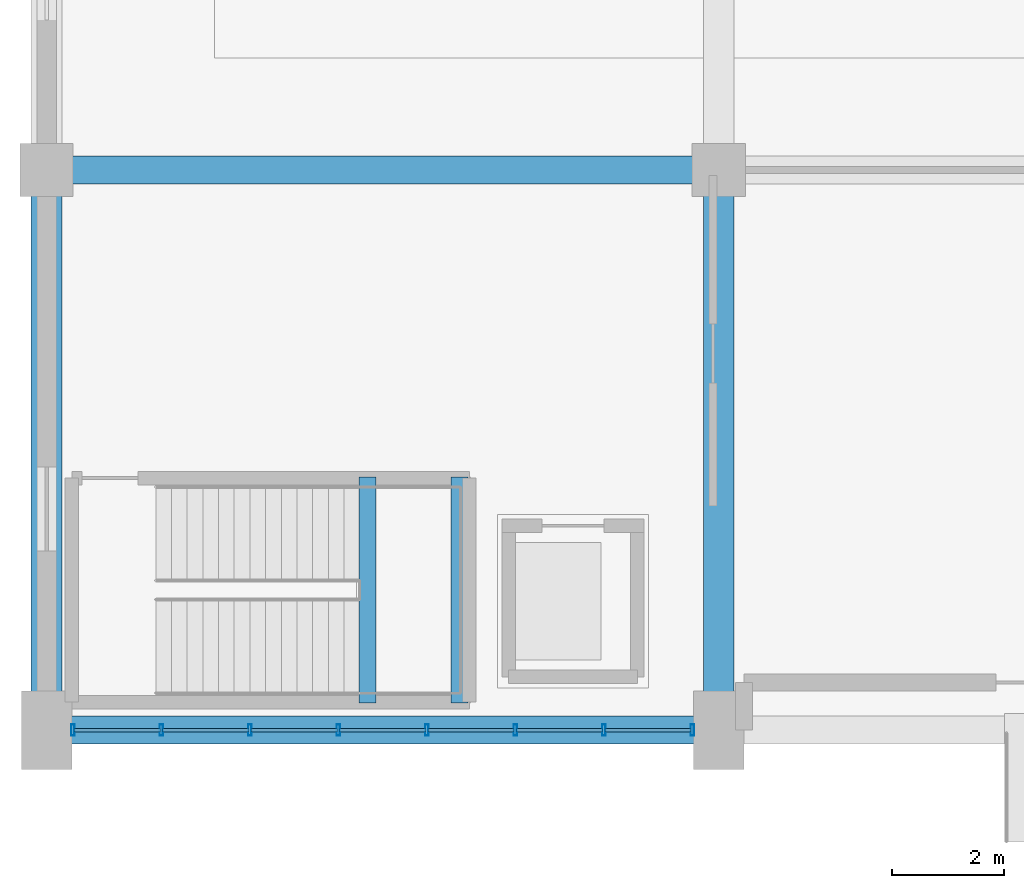
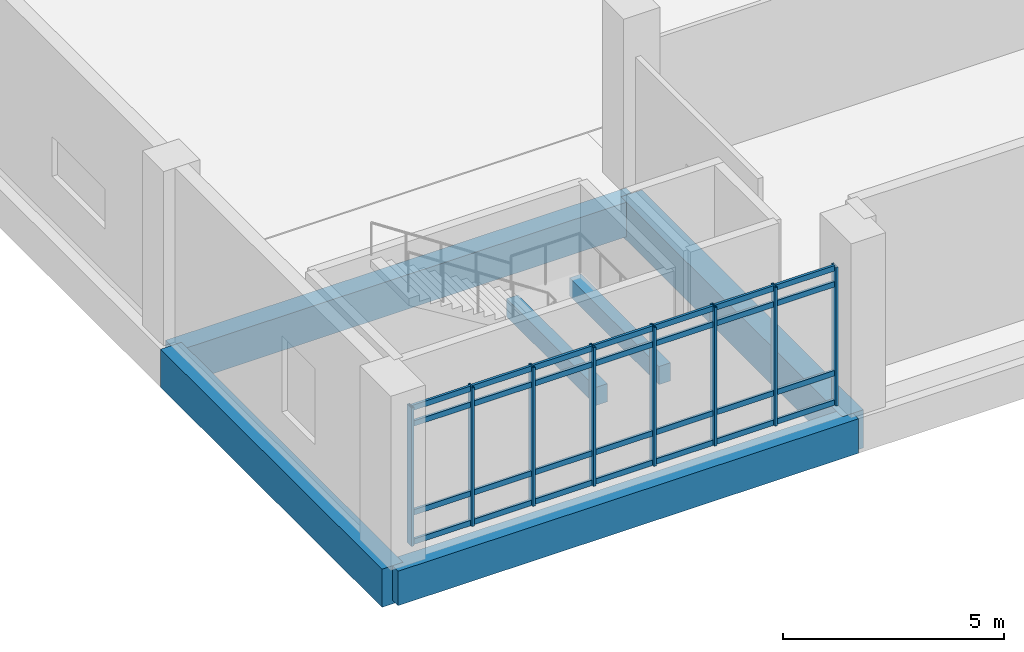
# One storey, part 6 of 87: 36 members, 6 beams, 1 element without a shape of its own.
"""IFC4 building model written with IfcOpenShell, lengths in metres."""

from ifc_helpers import new_model, si_unit, direction, frame, origin, origin_2d, place, context, subcontext, project, spatial, rectangle, hollow_rectangle, extrude, material, layer, layer_set, material_profile, profile_set, type_object, element, aggregate, save


model = new_model("IFC4")

# Units and contexts
model_context = context("Model", 3, precision=1e-05, world=origin(), true_north=direction((0.0, 1.0)))
body_context = subcontext(model_context, "Body", "Model", "MODEL_VIEW")
ifc_project = project(units=[si_unit("LENGTHUNIT", "METRE"), si_unit("AREAUNIT", "SQUARE_METRE"), si_unit("VOLUMEUNIT", "CUBIC_METRE"), si_unit("PLANEANGLEUNIT", "RADIAN"), si_unit("MASSUNIT", "GRAM", prefix="KILO")], contexts=[model_context])

# Site, building, storey
site_placement = place(None, origin())
site = spatial("IfcSite", under=ifc_project, at=site_placement, CompositionType="ELEMENT")
building_placement = place(site_placement, origin())
building = spatial("IfcBuilding", under=site, at=building_placement, Name="Mersad Railyard Sports Hall", CompositionType="ELEMENT")
storey_placement = place(building_placement, origin())
storey = spatial("IfcBuildingStorey", under=building, at=storey_placement, Name="L00", CompositionType="ELEMENT", Elevation=0.0)

# Curtain wall, members
ifc_material_1 = material(Name="Aluminium 6063-T6", Category="aluminium")
ifc_layer = layer(ifc_material_1, 0.199951171875)
ifc_layer_set = layer_set([ifc_layer], Name="Aluminium 6063-T6")
curtain_wall_type = type_object("IfcCurtainWallType", Name="ARC-CW-CW01", PredefinedType="USERDEFINED", material=ifc_layer_set)
curtain_wall_placement = place(storey_placement, origin())
curtain_wall = element("IfcCurtainWall", 1, at=curtain_wall_placement, inside=storey, type_object=curtain_wall_type, Name="Curtain wall CW01-0001", ObjectType="CURTAIN WALL", PredefinedType="USERDEFINED")
ifc_material_profile_1 = material_profile(ifc_material_1, hollow_rectangle(XDim=0.06494140625, YDim=0.199951171875, WallThickness=0.0048828125, at=origin_2d()), Name="AL MULLION 65x200x5")
ifc_profile_set_1 = profile_set([ifc_material_profile_1], Name="Aluminium 6063-T6")
member_type_1 = type_object("IfcMemberType", Name="ARC-CW-MUL02", PredefinedType="MULLION", material=ifc_profile_set_1)
member_1_placement = place(storey_placement, frame((18.530029296875, 3.5, -0.02001953125), z_axis=(0.0, 0.0, 1.0), x_axis=(1.0, 0.0, 0.0)))
member_1 = element("IfcMember", 2, at=member_1_placement, type_object=member_type_1, Name="CW01 Mullion 1", PredefinedType="MULLION", context=body_context, shape_type="SweptSolid", body=[
    extrude(hollow_rectangle(XDim=0.06494140625, YDim=0.199951171875, WallThickness=0.0048828125, at=origin_2d()), origin(), (0.0, 0.0, 1.0), 3.820068359375),
])
member_2_placement = place(storey_placement, frame((16.949951171875, 3.5, -0.02001953125), z_axis=(0.0, 0.0, 1.0), x_axis=(1.0, 0.0, 0.0)))
member_2 = element("IfcMember", 3, at=member_2_placement, type_object=member_type_1, Name="CW01 Mullion 2", PredefinedType="MULLION", context=body_context, shape_type="SweptSolid", body=[
    extrude(hollow_rectangle(XDim=0.06494140625, YDim=0.199951171875, WallThickness=0.0048828125, at=origin_2d()), origin(), (0.0, 0.0, 1.0), 3.820068359375),
])
member_3_placement = place(storey_placement, frame((15.3701171875, 3.5, -0.02001953125), z_axis=(0.0, 0.0, 1.0), x_axis=(1.0, 0.0, 0.0)))
member_3 = element("IfcMember", 4, at=member_3_placement, type_object=member_type_1, Name="CW01 Mullion 3", PredefinedType="MULLION", context=body_context, shape_type="SweptSolid", body=[
    extrude(hollow_rectangle(XDim=0.06494140625, YDim=0.199951171875, WallThickness=0.0048828125, at=origin_2d()), origin(), (0.0, 0.0, 1.0), 3.820068359375),
])
member_4_placement = place(storey_placement, frame((13.7900390625, 3.5, -0.02001953125), z_axis=(0.0, 0.0, 1.0), x_axis=(1.0, 0.0, 0.0)))
member_4 = element("IfcMember", 5, at=member_4_placement, type_object=member_type_1, Name="CW01 Mullion 4", PredefinedType="MULLION", context=body_context, shape_type="SweptSolid", body=[
    extrude(hollow_rectangle(XDim=0.06494140625, YDim=0.199951171875, WallThickness=0.0048828125, at=origin_2d()), origin(), (0.0, 0.0, 1.0), 3.820068359375),
])
member_5_placement = place(storey_placement, frame((12.2099609375, 3.5, -0.02001953125), z_axis=(0.0, 0.0, 1.0), x_axis=(1.0, 0.0, 0.0)))
member_5 = element("IfcMember", 6, at=member_5_placement, type_object=member_type_1, Name="CW01 Mullion 5", PredefinedType="MULLION", context=body_context, shape_type="SweptSolid", body=[
    extrude(hollow_rectangle(XDim=0.06494140625, YDim=0.199951171875, WallThickness=0.0048828125, at=origin_2d()), origin(), (0.0, 0.0, 1.0), 3.820068359375),
])
member_6_placement = place(storey_placement, frame((10.6298828125, 3.5, -0.02001953125), z_axis=(0.0, 0.0, 1.0), x_axis=(1.0, 0.0, 0.0)))
member_6 = element("IfcMember", 7, at=member_6_placement, type_object=member_type_1, Name="CW01 Mullion 6", PredefinedType="MULLION", context=body_context, shape_type="SweptSolid", body=[
    extrude(hollow_rectangle(XDim=0.06494140625, YDim=0.199951171875, WallThickness=0.0048828125, at=origin_2d()), origin(), (0.0, 0.0, 1.0), 3.820068359375),
])
member_7_placement = place(storey_placement, frame((9.050048828125, 3.5, -0.02001953125), z_axis=(0.0, 0.0, 1.0), x_axis=(1.0, 0.0, 0.0)))
member_7 = element("IfcMember", 8, at=member_7_placement, type_object=member_type_1, Name="CW01 Mullion 7", PredefinedType="MULLION", context=body_context, shape_type="SweptSolid", body=[
    extrude(hollow_rectangle(XDim=0.06494140625, YDim=0.199951171875, WallThickness=0.0048828125, at=origin_2d()), origin(), (0.0, 0.0, 1.0), 3.820068359375),
])
member_8_placement = place(storey_placement, frame((7.469970703125, 3.5, -0.02001953125), z_axis=(0.0, 0.0, 1.0), x_axis=(1.0, 0.0, 0.0)))
member_8 = element("IfcMember", 9, at=member_8_placement, type_object=member_type_1, Name="CW01 Mullion 8", PredefinedType="MULLION", context=body_context, shape_type="SweptSolid", body=[
    extrude(hollow_rectangle(XDim=0.06494140625, YDim=0.199951171875, WallThickness=0.0048828125, at=origin_2d()), origin(), (0.0, 0.0, 1.0), 3.820068359375),
])
ifc_material_profile_2 = material_profile(ifc_material_1, hollow_rectangle(XDim=0.06494140625, YDim=0.14990234375, WallThickness=0.00439453125, at=origin_2d()), Name="AL TRANSOM 65x150x4.5")
ifc_profile_set_2 = profile_set([ifc_material_profile_2], Name="Aluminium 6063-T6")
member_type_2 = type_object("IfcMemberType", Name="ARC-CW-TRN02", PredefinedType="USERDEFINED", material=ifc_profile_set_2)
member_9_placement = place(storey_placement, frame((18.510009765625, 3.5, 0.0400390625), z_axis=(-1.0, 0.0, 0.0), x_axis=(0.0, -1.0, 0.0)))
member_9 = element("IfcMember", 10, at=member_9_placement, type_object=member_type_2, Name="CW01 Transom 1-1", ObjectType="TRANSOM", PredefinedType="USERDEFINED", context=body_context, shape_type="SweptSolid", body=[
    extrude(hollow_rectangle(XDim=0.06494140625, YDim=0.14990234375, WallThickness=0.00439453125, at=origin_2d()), origin(), (0.0, 0.0, 1.0), 1.5400390625),
])
member_10_placement = place(storey_placement, frame((16.929931640625, 3.5, 0.0400390625), z_axis=(-1.0, 0.0, 0.0), x_axis=(0.0, -1.0, 0.0)))
member_10 = element("IfcMember", 11, at=member_10_placement, type_object=member_type_2, Name="CW01 Transom 1-2", ObjectType="TRANSOM", PredefinedType="USERDEFINED", context=body_context, shape_type="SweptSolid", body=[
    extrude(hollow_rectangle(XDim=0.06494140625, YDim=0.14990234375, WallThickness=0.00439453125, at=origin_2d()), origin(), (0.0, 0.0, 1.0), 1.5400390625),
])
member_11_placement = place(storey_placement, frame((15.35009765625, 3.5, 0.0400390625), z_axis=(-1.0, 0.0, 0.0), x_axis=(0.0, -1.0, 0.0)))
member_11 = element("IfcMember", 12, at=member_11_placement, type_object=member_type_2, Name="CW01 Transom 1-3", ObjectType="TRANSOM", PredefinedType="USERDEFINED", context=body_context, shape_type="SweptSolid", body=[
    extrude(hollow_rectangle(XDim=0.06494140625, YDim=0.14990234375, WallThickness=0.00439453125, at=origin_2d()), origin(), (0.0, 0.0, 1.0), 1.5400390625),
])
member_12_placement = place(storey_placement, frame((13.77001953125, 3.5, 0.0400390625), z_axis=(-1.0, 0.0, 0.0), x_axis=(0.0, -1.0, 0.0)))
member_12 = element("IfcMember", 13, at=member_12_placement, type_object=member_type_2, Name="CW01 Transom 1-4", ObjectType="TRANSOM", PredefinedType="USERDEFINED", context=body_context, shape_type="SweptSolid", body=[
    extrude(hollow_rectangle(XDim=0.06494140625, YDim=0.14990234375, WallThickness=0.00439453125, at=origin_2d()), origin(), (0.0, 0.0, 1.0), 1.5400390625),
])
member_13_placement = place(storey_placement, frame((12.18994140625, 3.5, 0.0400390625), z_axis=(-1.0, 0.0, 0.0), x_axis=(0.0, -1.0, 0.0)))
member_13 = element("IfcMember", 14, at=member_13_placement, type_object=member_type_2, Name="CW01 Transom 1-5", ObjectType="TRANSOM", PredefinedType="USERDEFINED", context=body_context, shape_type="SweptSolid", body=[
    extrude(hollow_rectangle(XDim=0.06494140625, YDim=0.14990234375, WallThickness=0.00439453125, at=origin_2d()), origin(), (0.0, 0.0, 1.0), 1.5400390625),
])
member_14_placement = place(storey_placement, frame((10.610107421875, 3.5, 0.0400390625), z_axis=(-1.0, 0.0, 0.0), x_axis=(0.0, -1.0, 0.0)))
member_14 = element("IfcMember", 15, at=member_14_placement, type_object=member_type_2, Name="CW01 Transom 1-6", ObjectType="TRANSOM", PredefinedType="USERDEFINED", context=body_context, shape_type="SweptSolid", body=[
    extrude(hollow_rectangle(XDim=0.06494140625, YDim=0.14990234375, WallThickness=0.00439453125, at=origin_2d()), origin(), (0.0, 0.0, 1.0), 1.5400390625),
])
member_15_placement = place(storey_placement, frame((9.030029296875, 3.5, 0.0400390625), z_axis=(-1.0, 0.0, 0.0), x_axis=(0.0, -1.0, 0.0)))
member_15 = element("IfcMember", 16, at=member_15_placement, type_object=member_type_2, Name="CW01 Transom 1-7", ObjectType="TRANSOM", PredefinedType="USERDEFINED", context=body_context, shape_type="SweptSolid", body=[
    extrude(hollow_rectangle(XDim=0.06494140625, YDim=0.14990234375, WallThickness=0.00439453125, at=origin_2d()), origin(), (0.0, 0.0, 1.0), 1.5400390625),
])
member_16_placement = place(storey_placement, frame((18.510009765625, 3.5, 0.85009765625), z_axis=(-1.0, 0.0, 0.0), x_axis=(0.0, -1.0, 0.0)))
member_16 = element("IfcMember", 17, at=member_16_placement, type_object=member_type_2, Name="CW01 Transom 2-1", ObjectType="TRANSOM", PredefinedType="USERDEFINED", context=body_context, shape_type="SweptSolid", body=[
    extrude(hollow_rectangle(XDim=0.06494140625, YDim=0.14990234375, WallThickness=0.00439453125, at=origin_2d()), origin(), (0.0, 0.0, 1.0), 1.5400390625),
])
member_17_placement = place(storey_placement, frame((16.929931640625, 3.5, 0.85009765625), z_axis=(-1.0, 0.0, 0.0), x_axis=(0.0, -1.0, 0.0)))
member_17 = element("IfcMember", 18, at=member_17_placement, type_object=member_type_2, Name="CW01 Transom 2-2", ObjectType="TRANSOM", PredefinedType="USERDEFINED", context=body_context, shape_type="SweptSolid", body=[
    extrude(hollow_rectangle(XDim=0.06494140625, YDim=0.14990234375, WallThickness=0.00439453125, at=origin_2d()), origin(), (0.0, 0.0, 1.0), 1.5400390625),
])
member_18_placement = place(storey_placement, frame((15.35009765625, 3.5, 0.85009765625), z_axis=(-1.0, 0.0, 0.0), x_axis=(0.0, -1.0, 0.0)))
member_18 = element("IfcMember", 19, at=member_18_placement, type_object=member_type_2, Name="CW01 Transom 2-3", ObjectType="TRANSOM", PredefinedType="USERDEFINED", context=body_context, shape_type="SweptSolid", body=[
    extrude(hollow_rectangle(XDim=0.06494140625, YDim=0.14990234375, WallThickness=0.00439453125, at=origin_2d()), origin(), (0.0, 0.0, 1.0), 1.5400390625),
])
member_19_placement = place(storey_placement, frame((13.77001953125, 3.5, 0.85009765625), z_axis=(-1.0, 0.0, 0.0), x_axis=(0.0, -1.0, 0.0)))
member_19 = element("IfcMember", 20, at=member_19_placement, type_object=member_type_2, Name="CW01 Transom 2-4", ObjectType="TRANSOM", PredefinedType="USERDEFINED", context=body_context, shape_type="SweptSolid", body=[
    extrude(hollow_rectangle(XDim=0.06494140625, YDim=0.14990234375, WallThickness=0.00439453125, at=origin_2d()), origin(), (0.0, 0.0, 1.0), 1.5400390625),
])
member_20_placement = place(storey_placement, frame((12.18994140625, 3.5, 0.85009765625), z_axis=(-1.0, 0.0, 0.0), x_axis=(0.0, -1.0, 0.0)))
member_20 = element("IfcMember", 21, at=member_20_placement, type_object=member_type_2, Name="CW01 Transom 2-5", ObjectType="TRANSOM", PredefinedType="USERDEFINED", context=body_context, shape_type="SweptSolid", body=[
    extrude(hollow_rectangle(XDim=0.06494140625, YDim=0.14990234375, WallThickness=0.00439453125, at=origin_2d()), origin(), (0.0, 0.0, 1.0), 1.5400390625),
])
member_21_placement = place(storey_placement, frame((10.610107421875, 3.5, 0.85009765625), z_axis=(-1.0, 0.0, 0.0), x_axis=(0.0, -1.0, 0.0)))
member_21 = element("IfcMember", 22, at=member_21_placement, type_object=member_type_2, Name="CW01 Transom 2-6", ObjectType="TRANSOM", PredefinedType="USERDEFINED", context=body_context, shape_type="SweptSolid", body=[
    extrude(hollow_rectangle(XDim=0.06494140625, YDim=0.14990234375, WallThickness=0.00439453125, at=origin_2d()), origin(), (0.0, 0.0, 1.0), 1.5400390625),
])
member_22_placement = place(storey_placement, frame((9.030029296875, 3.5, 0.85009765625), z_axis=(-1.0, 0.0, 0.0), x_axis=(0.0, -1.0, 0.0)))
member_22 = element("IfcMember", 23, at=member_22_placement, type_object=member_type_2, Name="CW01 Transom 2-7", ObjectType="TRANSOM", PredefinedType="USERDEFINED", context=body_context, shape_type="SweptSolid", body=[
    extrude(hollow_rectangle(XDim=0.06494140625, YDim=0.14990234375, WallThickness=0.00439453125, at=origin_2d()), origin(), (0.0, 0.0, 1.0), 1.5400390625),
])
member_23_placement = place(storey_placement, frame((18.510009765625, 3.5, 3.300048828125), z_axis=(-1.0, 0.0, 0.0), x_axis=(0.0, -1.0, 0.0)))
member_23 = element("IfcMember", 24, at=member_23_placement, type_object=member_type_2, Name="CW01 Transom 3-1", ObjectType="TRANSOM", PredefinedType="USERDEFINED", context=body_context, shape_type="SweptSolid", body=[
    extrude(hollow_rectangle(XDim=0.06494140625, YDim=0.14990234375, WallThickness=0.00439453125, at=origin_2d()), origin(), (0.0, 0.0, 1.0), 1.5400390625),
])
member_24_placement = place(storey_placement, frame((16.929931640625, 3.5, 3.300048828125), z_axis=(-1.0, 0.0, 0.0), x_axis=(0.0, -1.0, 0.0)))
member_24 = element("IfcMember", 25, at=member_24_placement, type_object=member_type_2, Name="CW01 Transom 3-2", ObjectType="TRANSOM", PredefinedType="USERDEFINED", context=body_context, shape_type="SweptSolid", body=[
    extrude(hollow_rectangle(XDim=0.06494140625, YDim=0.14990234375, WallThickness=0.00439453125, at=origin_2d()), origin(), (0.0, 0.0, 1.0), 1.5400390625),
])
member_25_placement = place(storey_placement, frame((15.35009765625, 3.5, 3.300048828125), z_axis=(-1.0, 0.0, 0.0), x_axis=(0.0, -1.0, 0.0)))
member_25 = element("IfcMember", 26, at=member_25_placement, type_object=member_type_2, Name="CW01 Transom 3-3", ObjectType="TRANSOM", PredefinedType="USERDEFINED", context=body_context, shape_type="SweptSolid", body=[
    extrude(hollow_rectangle(XDim=0.06494140625, YDim=0.14990234375, WallThickness=0.00439453125, at=origin_2d()), origin(), (0.0, 0.0, 1.0), 1.5400390625),
])
member_26_placement = place(storey_placement, frame((13.77001953125, 3.5, 3.300048828125), z_axis=(-1.0, 0.0, 0.0), x_axis=(0.0, -1.0, 0.0)))
member_26 = element("IfcMember", 27, at=member_26_placement, type_object=member_type_2, Name="CW01 Transom 3-4", ObjectType="TRANSOM", PredefinedType="USERDEFINED", context=body_context, shape_type="SweptSolid", body=[
    extrude(hollow_rectangle(XDim=0.06494140625, YDim=0.14990234375, WallThickness=0.00439453125, at=origin_2d()), origin(), (0.0, 0.0, 1.0), 1.5400390625),
])
member_27_placement = place(storey_placement, frame((12.18994140625, 3.5, 3.300048828125), z_axis=(-1.0, 0.0, 0.0), x_axis=(0.0, -1.0, 0.0)))
member_27 = element("IfcMember", 28, at=member_27_placement, type_object=member_type_2, Name="CW01 Transom 3-5", ObjectType="TRANSOM", PredefinedType="USERDEFINED", context=body_context, shape_type="SweptSolid", body=[
    extrude(hollow_rectangle(XDim=0.06494140625, YDim=0.14990234375, WallThickness=0.00439453125, at=origin_2d()), origin(), (0.0, 0.0, 1.0), 1.5400390625),
])
member_28_placement = place(storey_placement, frame((10.610107421875, 3.5, 3.300048828125), z_axis=(-1.0, 0.0, 0.0), x_axis=(0.0, -1.0, 0.0)))
member_28 = element("IfcMember", 29, at=member_28_placement, type_object=member_type_2, Name="CW01 Transom 3-6", ObjectType="TRANSOM", PredefinedType="USERDEFINED", context=body_context, shape_type="SweptSolid", body=[
    extrude(hollow_rectangle(XDim=0.06494140625, YDim=0.14990234375, WallThickness=0.00439453125, at=origin_2d()), origin(), (0.0, 0.0, 1.0), 1.5400390625),
])
member_29_placement = place(storey_placement, frame((9.030029296875, 3.5, 3.300048828125), z_axis=(-1.0, 0.0, 0.0), x_axis=(0.0, -1.0, 0.0)))
member_29 = element("IfcMember", 30, at=member_29_placement, type_object=member_type_2, Name="CW01 Transom 3-7", ObjectType="TRANSOM", PredefinedType="USERDEFINED", context=body_context, shape_type="SweptSolid", body=[
    extrude(hollow_rectangle(XDim=0.06494140625, YDim=0.14990234375, WallThickness=0.00439453125, at=origin_2d()), origin(), (0.0, 0.0, 1.0), 1.5400390625),
])
member_30_placement = place(storey_placement, frame((18.510009765625, 3.5, 3.739990234375), z_axis=(-1.0, 0.0, 0.0), x_axis=(0.0, -1.0, 0.0)))
member_30 = element("IfcMember", 31, at=member_30_placement, type_object=member_type_2, Name="CW01 Transom 4-1", ObjectType="TRANSOM", PredefinedType="USERDEFINED", context=body_context, shape_type="SweptSolid", body=[
    extrude(hollow_rectangle(XDim=0.06494140625, YDim=0.14990234375, WallThickness=0.00439453125, at=origin_2d()), origin(), (0.0, 0.0, 1.0), 1.5400390625),
])
member_31_placement = place(storey_placement, frame((16.929931640625, 3.5, 3.739990234375), z_axis=(-1.0, 0.0, 0.0), x_axis=(0.0, -1.0, 0.0)))
member_31 = element("IfcMember", 32, at=member_31_placement, type_object=member_type_2, Name="CW01 Transom 4-2", ObjectType="TRANSOM", PredefinedType="USERDEFINED", context=body_context, shape_type="SweptSolid", body=[
    extrude(hollow_rectangle(XDim=0.06494140625, YDim=0.14990234375, WallThickness=0.00439453125, at=origin_2d()), origin(), (0.0, 0.0, 1.0), 1.5400390625),
])
member_32_placement = place(storey_placement, frame((15.35009765625, 3.5, 3.739990234375), z_axis=(-1.0, 0.0, 0.0), x_axis=(0.0, -1.0, 0.0)))
member_32 = element("IfcMember", 33, at=member_32_placement, type_object=member_type_2, Name="CW01 Transom 4-3", ObjectType="TRANSOM", PredefinedType="USERDEFINED", context=body_context, shape_type="SweptSolid", body=[
    extrude(hollow_rectangle(XDim=0.06494140625, YDim=0.14990234375, WallThickness=0.00439453125, at=origin_2d()), origin(), (0.0, 0.0, 1.0), 1.5400390625),
])
member_33_placement = place(storey_placement, frame((13.77001953125, 3.5, 3.739990234375), z_axis=(-1.0, 0.0, 0.0), x_axis=(0.0, -1.0, 0.0)))
member_33 = element("IfcMember", 34, at=member_33_placement, type_object=member_type_2, Name="CW01 Transom 4-4", ObjectType="TRANSOM", PredefinedType="USERDEFINED", context=body_context, shape_type="SweptSolid", body=[
    extrude(hollow_rectangle(XDim=0.06494140625, YDim=0.14990234375, WallThickness=0.00439453125, at=origin_2d()), origin(), (0.0, 0.0, 1.0), 1.5400390625),
])
member_34_placement = place(storey_placement, frame((12.18994140625, 3.5, 3.739990234375), z_axis=(-1.0, 0.0, 0.0), x_axis=(0.0, -1.0, 0.0)))
member_34 = element("IfcMember", 35, at=member_34_placement, type_object=member_type_2, Name="CW01 Transom 4-5", ObjectType="TRANSOM", PredefinedType="USERDEFINED", context=body_context, shape_type="SweptSolid", body=[
    extrude(hollow_rectangle(XDim=0.06494140625, YDim=0.14990234375, WallThickness=0.00439453125, at=origin_2d()), origin(), (0.0, 0.0, 1.0), 1.5400390625),
])
member_35_placement = place(storey_placement, frame((10.610107421875, 3.5, 3.739990234375), z_axis=(-1.0, 0.0, 0.0), x_axis=(0.0, -1.0, 0.0)))
member_35 = element("IfcMember", 36, at=member_35_placement, type_object=member_type_2, Name="CW01 Transom 4-6", ObjectType="TRANSOM", PredefinedType="USERDEFINED", context=body_context, shape_type="SweptSolid", body=[
    extrude(hollow_rectangle(XDim=0.06494140625, YDim=0.14990234375, WallThickness=0.00439453125, at=origin_2d()), origin(), (0.0, 0.0, 1.0), 1.5400390625),
])
member_36_placement = place(storey_placement, frame((9.030029296875, 3.5, 3.739990234375), z_axis=(-1.0, 0.0, 0.0), x_axis=(0.0, -1.0, 0.0)))
member_36 = element("IfcMember", 37, at=member_36_placement, type_object=member_type_2, Name="CW01 Transom 4-7", ObjectType="TRANSOM", PredefinedType="USERDEFINED", context=body_context, shape_type="SweptSolid", body=[
    extrude(hollow_rectangle(XDim=0.06494140625, YDim=0.14990234375, WallThickness=0.00439453125, at=origin_2d()), origin(), (0.0, 0.0, 1.0), 1.5400390625),
])
aggregate(curtain_wall, [member_1, member_2, member_3, member_4, member_5, member_6, member_7, member_8, member_9, member_10, member_11, member_12, member_13, member_14, member_15, member_16, member_17, member_18, member_19, member_20, member_21, member_22, member_23, member_24, member_25, member_26, member_27, member_28, member_29, member_30, member_31, member_32, member_33, member_34, member_35, member_36])

# Beams
ifc_material_2 = material(Name="Concrete C50/60", Category="concrete")
ifc_material_profile_3 = material_profile(ifc_material_2, rectangle(XDim=0.5, YDim=0.949951171875, at=origin_2d()), Name="RC 500x950")
ifc_profile_set_3 = profile_set([ifc_material_profile_3], Name="Concrete C50/60")
beam_type_1 = type_object("IfcBeamType", Name="STR-BM-B03", PredefinedType="BEAM", material=ifc_profile_set_3)
for number, where, z_axis, x_axis, name in (
    (38, (7.0, 3.5, -0.925048828125), (1.0, 0.0, 0.0), (0.0, 1.0, 0.0), "Beam B03-0001"),
    (39, (7.0, 13.5, -0.925048828125), (1.0, 0.0, 0.0), (0.0, 1.0, 0.0), "Beam B03-0008"),
):
    element("IfcBeam", number, at=place(storey_placement, frame(where, z_axis=z_axis, x_axis=x_axis)), inside=storey, type_object=beam_type_1, Name=name, PredefinedType="BEAM", context=body_context, shape_type="SweptSolid", body=[
        extrude(rectangle(XDim=0.5, YDim=0.949951171875, at=origin_2d()), origin(), (0.0, 0.0, 1.0), 12.0),
    ])
ifc_material_profile_4 = material_profile(ifc_material_2, rectangle(XDim=0.550048828125, YDim=1.050048828125, at=origin_2d()), Name="RC 550x1050")
ifc_profile_set_4 = profile_set([ifc_material_profile_4], Name="Concrete C50/60")
beam_type_2 = type_object("IfcBeamType", Name="STR-BM-B04", PredefinedType="BEAM", material=ifc_profile_set_4)
for number, where, z_axis, x_axis, name in (
    (40, (7.0, 3.5, -0.97509765625), (0.0, 1.0, 0.0), (-1.0, 0.0, 0.0), "Beam B04-0029"),
    (41, (19.0, 3.5, -0.97509765625), (0.0, 1.0, 0.0), (-1.0, 0.0, 0.0), "Beam B04-0032"),
):
    element("IfcBeam", number, at=place(storey_placement, frame(where, z_axis=z_axis, x_axis=x_axis)), inside=storey, type_object=beam_type_2, Name=name, PredefinedType="BEAM", context=body_context, shape_type="SweptSolid", body=[
        extrude(rectangle(XDim=0.550048828125, YDim=1.050048828125, at=origin_2d()), origin(), (0.0, 0.0, 1.0), 10.0),
    ])
ifc_material_3 = material(Name="Concrete C40/50", Category="concrete")
ifc_material_profile_5 = material_profile(ifc_material_3, rectangle(XDim=0.300048828125, YDim=0.5, at=origin_2d()), Name="RC 300x500")
ifc_profile_set_5 = profile_set([ifc_material_profile_5], Name="Concrete C40/50")
beam_type_3 = type_object("IfcBeamType", Name="STR-BM-LN01", PredefinedType="LINTEL", material=ifc_profile_set_5)
for number, where, z_axis, x_axis, name in (
    (42, (12.72998046875, 3.97998046875, 1.969970703125), (0.0, 1.0, 0.0), (-1.0, 0.0, 0.0), "Stair ST05A landing beam W"),
    (43, (14.3701171875, 3.97998046875, 1.969970703125), (0.0, 1.0, 0.0), (-1.0, 0.0, 0.0), "Stair ST05A landing beam E"),
):
    element("IfcBeam", number, at=place(storey_placement, frame(where, z_axis=z_axis, x_axis=x_axis)), inside=storey, type_object=beam_type_3, Name=name, PredefinedType="LINTEL", context=body_context, shape_type="SweptSolid", body=[
        extrude(rectangle(XDim=0.300048828125, YDim=0.5, at=origin_2d()), origin(), (0.0, 0.0, 1.0), 4.0400390625),
    ])

save(model, "model.ifc")
